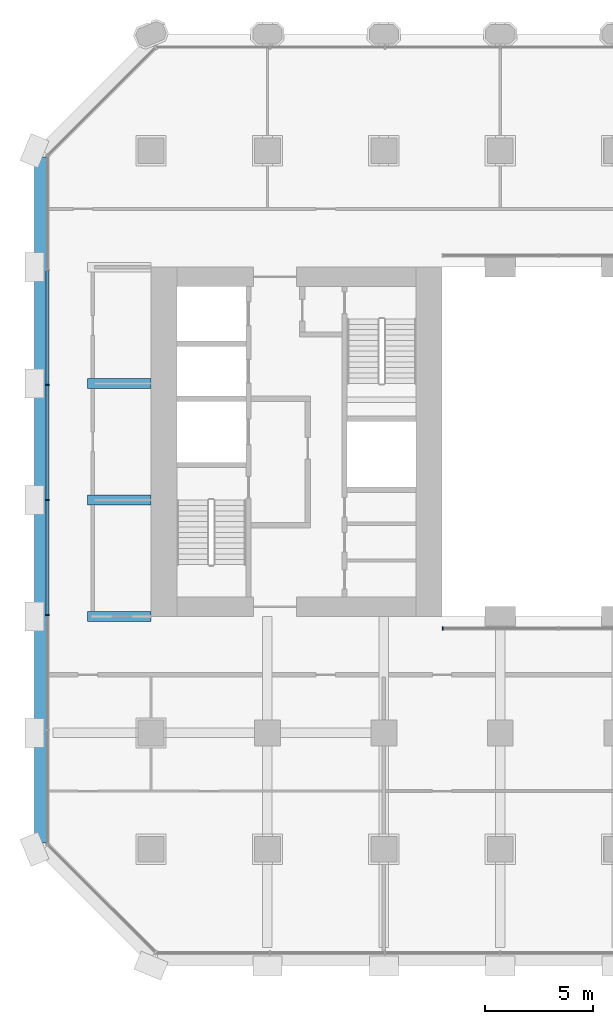
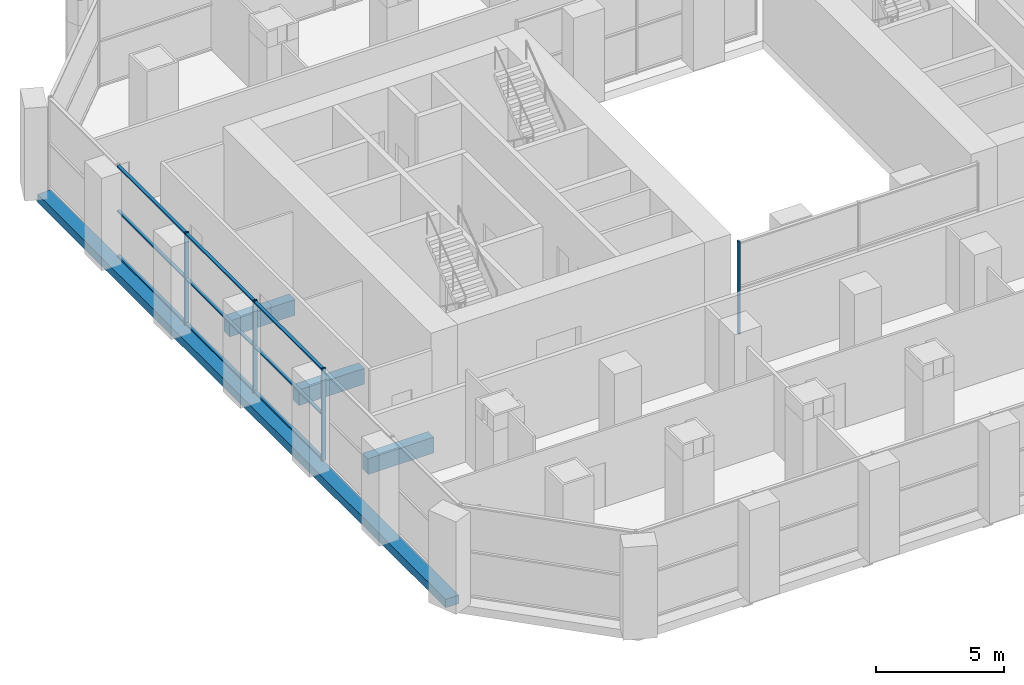
# One storey, part 4 of 42: 13 members, 4 beams, 2 elements without a shape of their own.
"""IFC4 building model written with IfcOpenShell, lengths in metres."""

from ifc_helpers import new_model, si_unit, direction, frame, origin, origin_2d, place, context, subcontext, project, spatial, rectangle, extrude, material, material_profile, profile_set, type_object, element, aggregate, save


model = new_model("IFC4")

# Units and contexts
model_context = context("Model", 3, precision=1e-05, world=origin(), true_north=direction((0.0, 1.0)))
body_context = subcontext(model_context, "Body", "Model", "MODEL_VIEW")
ifc_project = project(units=[si_unit("LENGTHUNIT", "METRE"), si_unit("AREAUNIT", "SQUARE_METRE"), si_unit("VOLUMEUNIT", "CUBIC_METRE"), si_unit("PLANEANGLEUNIT", "RADIAN"), si_unit("MASSUNIT", "GRAM", prefix="KILO")], contexts=[model_context])

# Site, building, storey
site_placement = place(None, origin())
site = spatial("IfcSite", under=ifc_project, at=site_placement, CompositionType="ELEMENT")
building_placement = place(site_placement, origin())
building = spatial("IfcBuilding", under=site, at=building_placement, Name="Tabaq Tower and Sports Hall", CompositionType="ELEMENT")
storey_placement = place(building_placement, frame((0.0, 0.0, 19.800048828125)))
storey = spatial("IfcBuildingStorey", under=building, at=storey_placement, Name="L03", CompositionType="ELEMENT", Elevation=19.800048828125)

# Curtain wall, member
ifc_material_1 = material(Name="Aluminium alloy 6063-T6 framed glazing", Category="aluminium")
curtain_wall_type_1 = type_object("IfcCurtainWallType", Name="CW1 curtain wall", PredefinedType="USERDEFINED", material=ifc_material_1)
curtain_wall_1_placement = place(storey_placement, origin())
curtain_wall_1 = element("IfcCurtainWall", 1, at=curtain_wall_1_placement, inside=storey, type_object=curtain_wall_type_1, Name="Atrium glazing L03 S", ObjectType="ATRIUM ENCLOSURE", PredefinedType="USERDEFINED")
ifc_material_2 = material(Name="Aluminium alloy 6063-T6", Category="aluminium")
ifc_material_profile_1 = material_profile(ifc_material_2, rectangle(XDim=0.159912109375, YDim=0.06005859375, at=origin_2d()), Name="MULLION 160x60")
ifc_profile_set_1 = profile_set([ifc_material_profile_1], Name="Aluminium alloy 6063-T6")
member_type_1 = type_object("IfcMemberType", Name="CW1 mullion 160x60", PredefinedType="MULLION", material=ifc_profile_set_1)
member_1_placement = place(storey_placement, frame((18.929931640625, 15.64990234375, 0.0), z_axis=(0.0, 0.0, 1.0), x_axis=(0.0, 1.0, 0.0)))
member_1 = element("IfcMember", 2, at=member_1_placement, type_object=member_type_1, Name="CW1 mullion 1", PredefinedType="MULLION", context=body_context, shape_type="SweptSolid", body=[
    extrude(rectangle(XDim=0.159912109375, YDim=0.06005859375, at=origin_2d()), origin(), (0.0, 0.0, 1.0), 4.39990234375),
])
aggregate(curtain_wall_1, [member_1])

# Curtain wall, members
ifc_material_3 = material(Name="Aluminium alloy 6063-T6 framed glazing", Category="aluminium")
curtain_wall_type_2 = type_object("IfcCurtainWallType", Name="CW7 curtain wall", PredefinedType="USERDEFINED", material=ifc_material_3)
curtain_wall_2_placement = place(storey_placement, origin())
curtain_wall_2 = element("IfcCurtainWall", 3, at=curtain_wall_2_placement, inside=storey, type_object=curtain_wall_type_2, Name="Podium Wall L03 W", ObjectType="PODIUM WALL", PredefinedType="USERDEFINED")
ifc_material_4 = material(Name="Aluminium alloy 6063-T6", Category="aluminium")
ifc_material_profile_2 = material_profile(ifc_material_4, rectangle(XDim=0.179931640625, YDim=0.06494140625, at=origin_2d()), Name="MULLION 180x65")
ifc_profile_set_2 = profile_set([ifc_material_profile_2], Name="Aluminium alloy 6063-T6")
member_type_2 = type_object("IfcMemberType", Name="CW7 mullion 180x65", PredefinedType="MULLION", material=ifc_profile_set_2)
member_2_placement = place(storey_placement, frame((0.60009765625, 26.93798828125, 0.0), z_axis=(0.0, 0.0, 1.0), x_axis=(1.0, 0.0, 0.0)))
member_2 = element("IfcMember", 4, at=member_2_placement, type_object=member_type_2, Name="CW7 mullion 3", PredefinedType="MULLION", context=body_context, shape_type="SweptSolid", body=[
    extrude(rectangle(XDim=0.179931640625, YDim=0.06494140625, at=origin_2d()), origin(), (0.0, 0.0, 1.0), 4.39990234375),
])
member_3_placement = place(storey_placement, frame((0.60009765625, 21.60009765625, 0.0), z_axis=(0.0, 0.0, 1.0), x_axis=(1.0, 0.0, 0.0)))
member_3 = element("IfcMember", 5, at=member_3_placement, type_object=member_type_2, Name="CW7 mullion 4", PredefinedType="MULLION", context=body_context, shape_type="SweptSolid", body=[
    extrude(rectangle(XDim=0.179931640625, YDim=0.06494140625, at=origin_2d()), origin(), (0.0, 0.0, 1.0), 4.39990234375),
])
member_4_placement = place(storey_placement, frame((0.60009765625, 16.26220703125, 0.0), z_axis=(0.0, 0.0, 1.0), x_axis=(1.0, 0.0, 0.0)))
member_4 = element("IfcMember", 6, at=member_4_placement, type_object=member_type_2, Name="CW7 mullion 5", PredefinedType="MULLION", context=body_context, shape_type="SweptSolid", body=[
    extrude(rectangle(XDim=0.179931640625, YDim=0.06494140625, at=origin_2d()), origin(), (0.0, 0.0, 1.0), 4.39990234375),
])
ifc_material_5 = material(Name="Aluminium alloy 6063-T6", Category="aluminium")
ifc_material_profile_3 = material_profile(ifc_material_5, rectangle(XDim=0.139892578125, YDim=0.06494140625, at=origin_2d()), Name="TRANSOM 140x65")
ifc_profile_set_3 = profile_set([ifc_material_profile_3], Name="Aluminium alloy 6063-T6")
member_type_3 = type_object("IfcMemberType", Name="CW7 transom 140x65", PredefinedType="USERDEFINED", material=ifc_profile_set_3)
member_5_placement = place(storey_placement, frame((0.60009765625, 32.2431640625, 0.070068359375), z_axis=(0.0, -1.0, 0.0), x_axis=(1.0, 0.0, 0.0)))
member_5 = element("IfcMember", 7, at=member_5_placement, type_object=member_type_3, Name="CW7 transom 2.1", ObjectType="TRANSOM", PredefinedType="USERDEFINED", context=body_context, shape_type="SweptSolid", body=[
    extrude(rectangle(XDim=0.139892578125, YDim=0.06494140625, at=origin_2d()), origin(), (0.0, 0.0, 1.0), 5.272705078125),
])
member_6_placement = place(storey_placement, frame((0.60009765625, 32.2431640625, 2.199951171875), z_axis=(0.0, -1.0, 0.0), x_axis=(1.0, 0.0, 0.0)))
member_6 = element("IfcMember", 8, at=member_6_placement, type_object=member_type_3, Name="CW7 transom 2.2", ObjectType="TRANSOM", PredefinedType="USERDEFINED", context=body_context, shape_type="SweptSolid", body=[
    extrude(rectangle(XDim=0.139892578125, YDim=0.06494140625, at=origin_2d()), origin(), (0.0, 0.0, 1.0), 5.272705078125),
])
member_7_placement = place(storey_placement, frame((0.60009765625, 32.2431640625, 4.329833984375), z_axis=(0.0, -1.0, 0.0), x_axis=(1.0, 0.0, 0.0)))
member_7 = element("IfcMember", 9, at=member_7_placement, type_object=member_type_3, Name="CW7 transom 2.3", ObjectType="TRANSOM", PredefinedType="USERDEFINED", context=body_context, shape_type="SweptSolid", body=[
    extrude(rectangle(XDim=0.139892578125, YDim=0.06494140625, at=origin_2d()), origin(), (0.0, 0.0, 1.0), 5.272705078125),
])
member_8_placement = place(storey_placement, frame((0.60009765625, 26.9052734375, 0.070068359375), z_axis=(0.0, -1.0, 0.0), x_axis=(1.0, 0.0, 0.0)))
member_8 = element("IfcMember", 10, at=member_8_placement, type_object=member_type_3, Name="CW7 transom 3.1", ObjectType="TRANSOM", PredefinedType="USERDEFINED", context=body_context, shape_type="SweptSolid", body=[
    extrude(rectangle(XDim=0.139892578125, YDim=0.06494140625, at=origin_2d()), origin(), (0.0, 0.0, 1.0), 5.272705078125),
])
member_9_placement = place(storey_placement, frame((0.60009765625, 26.9052734375, 2.199951171875), z_axis=(0.0, -1.0, 0.0), x_axis=(1.0, 0.0, 0.0)))
member_9 = element("IfcMember", 11, at=member_9_placement, type_object=member_type_3, Name="CW7 transom 3.2", ObjectType="TRANSOM", PredefinedType="USERDEFINED", context=body_context, shape_type="SweptSolid", body=[
    extrude(rectangle(XDim=0.139892578125, YDim=0.06494140625, at=origin_2d()), origin(), (0.0, 0.0, 1.0), 5.272705078125),
])
member_10_placement = place(storey_placement, frame((0.60009765625, 26.9052734375, 4.329833984375), z_axis=(0.0, -1.0, 0.0), x_axis=(1.0, 0.0, 0.0)))
member_10 = element("IfcMember", 12, at=member_10_placement, type_object=member_type_3, Name="CW7 transom 3.3", ObjectType="TRANSOM", PredefinedType="USERDEFINED", context=body_context, shape_type="SweptSolid", body=[
    extrude(rectangle(XDim=0.139892578125, YDim=0.06494140625, at=origin_2d()), origin(), (0.0, 0.0, 1.0), 5.272705078125),
])
member_11_placement = place(storey_placement, frame((0.60009765625, 21.5673828125, 0.070068359375), z_axis=(0.0, -1.0, 0.0), x_axis=(1.0, 0.0, 0.0)))
member_11 = element("IfcMember", 13, at=member_11_placement, type_object=member_type_3, Name="CW7 transom 4.1", ObjectType="TRANSOM", PredefinedType="USERDEFINED", context=body_context, shape_type="SweptSolid", body=[
    extrude(rectangle(XDim=0.139892578125, YDim=0.06494140625, at=origin_2d()), origin(), (0.0, 0.0, 1.0), 5.272705078125),
])
member_12_placement = place(storey_placement, frame((0.60009765625, 21.5673828125, 2.199951171875), z_axis=(0.0, -1.0, 0.0), x_axis=(1.0, 0.0, 0.0)))
member_12 = element("IfcMember", 14, at=member_12_placement, type_object=member_type_3, Name="CW7 transom 4.2", ObjectType="TRANSOM", PredefinedType="USERDEFINED", context=body_context, shape_type="SweptSolid", body=[
    extrude(rectangle(XDim=0.139892578125, YDim=0.06494140625, at=origin_2d()), origin(), (0.0, 0.0, 1.0), 5.272705078125),
])
member_13_placement = place(storey_placement, frame((0.60009765625, 21.5673828125, 4.329833984375), z_axis=(0.0, -1.0, 0.0), x_axis=(1.0, 0.0, 0.0)))
member_13 = element("IfcMember", 15, at=member_13_placement, type_object=member_type_3, Name="CW7 transom 4.3", ObjectType="TRANSOM", PredefinedType="USERDEFINED", context=body_context, shape_type="SweptSolid", body=[
    extrude(rectangle(XDim=0.139892578125, YDim=0.06494140625, at=origin_2d()), origin(), (0.0, 0.0, 1.0), 5.272705078125),
])
aggregate(curtain_wall_2, [member_2, member_3, member_4, member_5, member_6, member_7, member_8, member_9, member_10, member_11, member_12, member_13])

# Beams
ifc_material_6 = material(Name="Concrete C40/50", Category="concrete")
ifc_material_profile_4 = material_profile(ifc_material_6, rectangle(XDim=0.449951171875, YDim=0.75, at=origin_2d()), Name="CB 450x750")
ifc_profile_set_4 = profile_set([ifc_material_profile_4], Name="Concrete C40/50")
beam_type_1 = type_object("IfcBeamType", Name="PT CANTILEVER BEAM CB 450x750 C40/50", PredefinedType="BEAM", material=ifc_profile_set_4)
for number, where, z_axis, x_axis, name in (
    (16, (2.449951171875, 16.199951171875, -0.775146484375), (1.0, 0.0, 0.0), (0.0, 1.0, 0.0), "Cantilever Beam L03 W3 span 1"),
    (17, (2.449951171875, 21.60009765625, -0.775146484375), (1.0, 0.0, 0.0), (0.0, 1.0, 0.0), "Cantilever Beam L03 W4 span 1"),
    (18, (2.449951171875, 27.0, -0.775146484375), (1.0, 0.0, 0.0), (0.0, 1.0, 0.0), "Cantilever Beam L03 W5 span 1"),
):
    element("IfcBeam", number, at=place(storey_placement, frame(where, z_axis=z_axis, x_axis=x_axis)), inside=storey, type_object=beam_type_1, Name=name, PredefinedType="BEAM", context=body_context, shape_type="SweptSolid", body=[
        extrude(rectangle(XDim=0.449951171875, YDim=0.75, at=origin_2d()), origin(), (0.0, 0.0, 1.0), 2.949951171875),
    ])
ifc_material_7 = material(Name="Concrete C40/50", Category="concrete")
ifc_material_profile_5 = material_profile(ifc_material_7, rectangle(XDim=0.60009765625, YDim=0.39990234375, at=origin_2d()), Name="EB 600x400")
ifc_profile_set_5 = profile_set([ifc_material_profile_5], Name="Concrete C40/50")
beam_type_2 = type_object("IfcBeamType", Name="PT EDGE BEAM EB 600x400 C40/50", PredefinedType="SPANDREL", material=ifc_profile_set_5)
beam_placement = place(storey_placement, frame((0.300048828125, 37.50146484375, -0.199951171875), z_axis=(0.0, -1.0, 0.0), x_axis=(1.0, 0.0, 0.0)))
element("IfcBeam", 19, at=beam_placement, inside=storey, type_object=beam_type_2, Name="Edge Beam L03 4", PredefinedType="SPANDREL", context=body_context, shape_type="SweptSolid", body=[
    extrude(rectangle(XDim=0.60009765625, YDim=0.39990234375, at=origin_2d()), origin(), (0.0, 0.0, 1.0), 31.802978515625),
])

save(model, "model.ifc")
